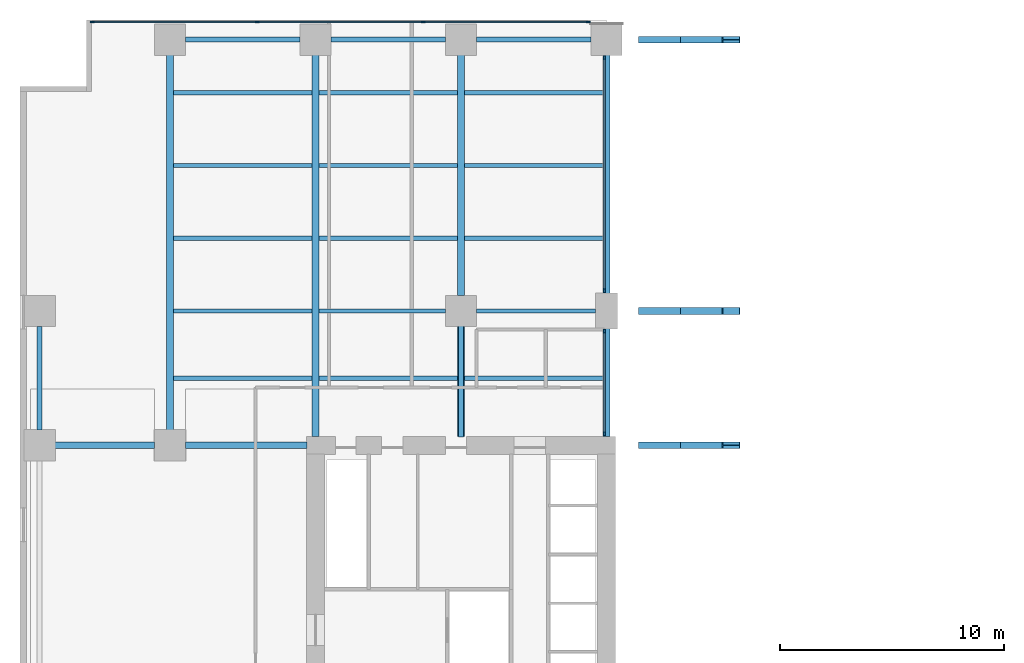
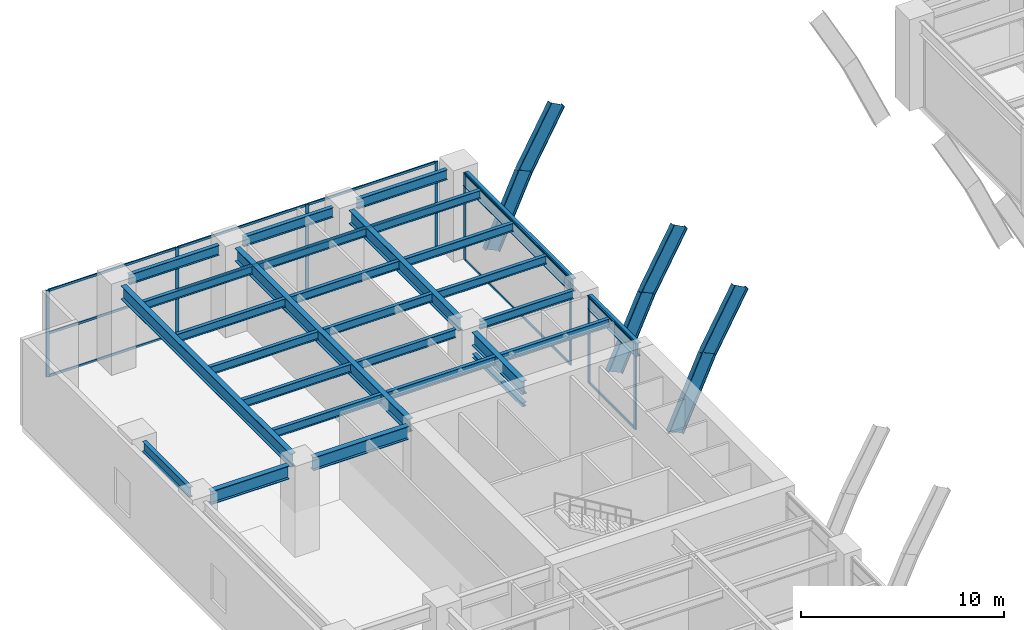
# One storey, part 5 of 17: 28 beams, 27 members, 3 elements without a shape of their own.
"""IFC4 building model written with IfcOpenShell, lengths in metres."""

from ifc_helpers import new_model, si_unit, direction, frame, origin, origin_2d, place, context, subcontext, project, spatial, rectangle, i_section, extrude, material, layer, layer_set, material_profile, profile_set, type_object, element, aggregate, save


model = new_model("IFC4")

# Units and contexts
model_context = context("Model", 3, precision=1e-05, world=origin(), true_north=direction((0.0, 1.0)))
body_context = subcontext(model_context, "Body", "Model", "MODEL_VIEW")
ifc_project = project(units=[si_unit("LENGTHUNIT", "METRE"), si_unit("AREAUNIT", "SQUARE_METRE"), si_unit("VOLUMEUNIT", "CUBIC_METRE"), si_unit("PLANEANGLEUNIT", "RADIAN"), si_unit("MASSUNIT", "GRAM", prefix="KILO")], contexts=[model_context])

# Site, building, storey
site_placement = place(None, origin())
site = spatial("IfcSite", under=ifc_project, at=site_placement, CompositionType="ELEMENT")
building_placement = place(site_placement, origin())
building = spatial("IfcBuilding", under=site, at=building_placement, Name="Putna Gate Headquarters", CompositionType="ELEMENT")
storey_placement = place(building_placement, frame((0.0, 0.0, 6.0)))
storey = spatial("IfcBuildingStorey", under=building, at=storey_placement, Name="L01", CompositionType="ELEMENT", Elevation=6.0)

# Beams
ifc_material_1 = material(Name="Steel S355J2", Category="steel")
ifc_material_profile_1 = material_profile(ifc_material_1, i_section(OverallWidth=0.300048828125, OverallDepth=0.800048828125, WebThickness=0.017578125, FlangeThickness=0.032958984375, at=origin_2d()), Name="Steel S355J2")
ifc_profile_set_1 = profile_set([ifc_material_profile_1], Name="Steel S355J2")
beam_type_1 = type_object("IfcBeamType", Name="BM-GIRD-P-HEB800", PredefinedType="USERDEFINED", material=ifc_profile_set_1)
beam_1_placement = place(storey_placement, frame((1.367919921875, 33.0, 4.820068359375), z_axis=(1.0, 0.0, 0.0), x_axis=(0.0, 1.0, 0.0)))
element("IfcBeam", 1, at=beam_1_placement, inside=storey, type_object=beam_type_1, Name="L01 West Wing Girder Y33-1", ObjectType="GIRDER", PredefinedType="USERDEFINED", context=body_context, shape_type="SweptSolid", body=[
    extrude(i_section(OverallWidth=0.300048828125, OverallDepth=0.800048828125, WebThickness=0.017578125, FlangeThickness=0.032958984375, at=origin_2d()), origin(), (0.0, 0.0, 1.0), 4.444091796875),
])
beam_2_placement = place(storey_placement, frame((7.18798828125, 33.0, 4.820068359375), z_axis=(1.0, 0.0, 0.0), x_axis=(0.0, 1.0, 0.0)))
element("IfcBeam", 2, at=beam_2_placement, inside=storey, type_object=beam_type_1, Name="L01 West Wing Girder Y33-2", ObjectType="GIRDER", PredefinedType="USERDEFINED", context=body_context, shape_type="SweptSolid", body=[
    extrude(i_section(OverallWidth=0.300048828125, OverallDepth=0.800048828125, WebThickness=0.017578125, FlangeThickness=0.032958984375, at=origin_2d()), origin(), (0.0, 0.0, 1.0), 5.427001953125),
])
beam_3_placement = place(storey_placement, frame((6.5, 33.68798828125, 4.820068359375), z_axis=(0.0, 1.0, 0.0), x_axis=(-1.0, 0.0, 0.0)))
element("IfcBeam", 3, at=beam_3_placement, inside=storey, type_object=beam_type_1, Name="L01 North Primary Girder X6", ObjectType="GIRDER", PredefinedType="USERDEFINED", context=body_context, shape_type="SweptSolid", body=[
    extrude(i_section(OverallWidth=0.300048828125, OverallDepth=0.800048828125, WebThickness=0.017578125, FlangeThickness=0.032958984375, at=origin_2d()), origin(), (0.0, 0.0, 1.0), 16.743896484375),
])
beam_4_placement = place(storey_placement, frame((13.0, 33.385009765625, 4.820068359375), z_axis=(0.0, 1.0, 0.0), x_axis=(-1.0, 0.0, 0.0)))
element("IfcBeam", 4, at=beam_4_placement, inside=storey, type_object=beam_type_1, Name="L01 North Primary Girder X13", ObjectType="GIRDER", PredefinedType="USERDEFINED", context=body_context, shape_type="SweptSolid", body=[
    extrude(i_section(OverallWidth=0.300048828125, OverallDepth=0.800048828125, WebThickness=0.017578125, FlangeThickness=0.032958984375, at=origin_2d()), origin(), (0.0, 0.0, 1.0), 17.046875),
])
beam_5_placement = place(storey_placement, frame((19.5, 33.385009765625, 4.820068359375), z_axis=(0.0, 1.0, 0.0), x_axis=(-1.0, 0.0, 0.0)))
element("IfcBeam", 5, at=beam_5_placement, inside=storey, type_object=beam_type_1, Name="L01 North Primary Girder X19-1", ObjectType="GIRDER", PredefinedType="USERDEFINED", context=body_context, shape_type="SweptSolid", body=[
    extrude(i_section(OverallWidth=0.300048828125, OverallDepth=0.800048828125, WebThickness=0.017578125, FlangeThickness=0.032958984375, at=origin_2d()), origin(), (0.0, 0.0, 1.0), 4.927001953125),
])
beam_6_placement = place(storey_placement, frame((19.5, 39.68798828125, 4.820068359375), z_axis=(0.0, 1.0, 0.0), x_axis=(-1.0, 0.0, 0.0)))
element("IfcBeam", 6, at=beam_6_placement, inside=storey, type_object=beam_type_1, Name="L01 North Primary Girder X19-2", ObjectType="GIRDER", PredefinedType="USERDEFINED", context=body_context, shape_type="SweptSolid", body=[
    extrude(i_section(OverallWidth=0.300048828125, OverallDepth=0.800048828125, WebThickness=0.017578125, FlangeThickness=0.032958984375, at=origin_2d()), origin(), (0.0, 0.0, 1.0), 10.743896484375),
])
beam_7_placement = place(storey_placement, frame((26.0, 33.385009765625, 4.820068359375), z_axis=(0.0, 1.0, 0.0), x_axis=(-1.0, 0.0, 0.0)))
element("IfcBeam", 7, at=beam_7_placement, inside=storey, type_object=beam_type_1, Name="L01 North Primary Girder X26-1", ObjectType="GIRDER", PredefinedType="USERDEFINED", context=body_context, shape_type="SweptSolid", body=[
    extrude(i_section(OverallWidth=0.300048828125, OverallDepth=0.800048828125, WebThickness=0.017578125, FlangeThickness=0.032958984375, at=origin_2d()), origin(), (0.0, 0.0, 1.0), 4.826904296875),
])
beam_8_placement = place(storey_placement, frame((26.0, 39.7880859375, 4.820068359375), z_axis=(0.0, 1.0, 0.0), x_axis=(-1.0, 0.0, 0.0)))
element("IfcBeam", 8, at=beam_8_placement, inside=storey, type_object=beam_type_1, Name="L01 North Primary Girder X26-2", ObjectType="GIRDER", PredefinedType="USERDEFINED", context=body_context, shape_type="SweptSolid", body=[
    extrude(i_section(OverallWidth=0.300048828125, OverallDepth=0.800048828125, WebThickness=0.017578125, FlangeThickness=0.032958984375, at=origin_2d()), origin(), (0.0, 0.0, 1.0), 10.643798828125),
])
ifc_material_profile_2 = material_profile(ifc_material_1, i_section(OverallWidth=0.239990234375, OverallDepth=0.239990234375, WebThickness=0.010009765625, FlangeThickness=0.01708984375, at=origin_2d()), Name="Steel S355J2")
ifc_profile_set_2 = profile_set([ifc_material_profile_2], Name="Steel S355J2")
beam_type_2 = type_object("IfcBeamType", Name="BM-LINTEL-HEB240", PredefinedType="LINTEL", material=ifc_profile_set_2)
beam_9_placement = place(storey_placement, frame((19.5, 33.3798828125, 3.800048828125), z_axis=(0.0, 1.0, 0.0), x_axis=(-1.0, 0.0, 0.0)))
element("IfcBeam", 9, at=beam_9_placement, inside=storey, type_object=beam_type_2, Name="L01 Core Spine Portal Header Lintel W", PredefinedType="LINTEL", context=body_context, shape_type="SweptSolid", body=[
    extrude(i_section(OverallWidth=0.239990234375, OverallDepth=0.239990234375, WebThickness=0.010009765625, FlangeThickness=0.01708984375, at=origin_2d()), origin(), (0.0, 0.0, 1.0), 4.940185546875),
])
ifc_material_profile_3 = material_profile(ifc_material_1, i_section(OverallWidth=0.199951171875, OverallDepth=0.5, WebThickness=0.01025390625, FlangeThickness=0.01611328125, at=origin_2d()), Name="Steel S355J2")
ifc_profile_set_3 = profile_set([ifc_material_profile_3], Name="Steel S355J2")
beam_type_3 = type_object("IfcBeamType", Name="BM-SEC-P-IPE500", PredefinedType="BEAM", material=ifc_profile_set_3)
for number, where, z_axis, x_axis, name in (
    (10, (6.654052734375, 36.0, 4.969970703125), (1.0, 0.0, 0.0), (0.0, 1.0, 0.0), "L01 North Secondary Beam 1"),
    (11, (6.654052734375, 39.0, 4.969970703125), (1.0, 0.0, 0.0), (0.0, 1.0, 0.0), "L01 North Secondary Beam 1"),
    (12, (6.654052734375, 42.25, 4.969970703125), (1.0, 0.0, 0.0), (0.0, 1.0, 0.0), "L01 North Secondary Beam 1"),
    (13, (6.654052734375, 45.5, 4.969970703125), (1.0, 0.0, 0.0), (0.0, 1.0, 0.0), "L01 North Secondary Beam 1"),
    (14, (6.654052734375, 48.75, 4.969970703125), (1.0, 0.0, 0.0), (0.0, 1.0, 0.0), "L01 North Secondary Beam 1"),
    (15, (13.154052734375, 36.0, 4.969970703125), (1.0, 0.0, 0.0), (0.0, 1.0, 0.0), "L01 North Secondary Beam 2"),
):
    element("IfcBeam", number, at=place(storey_placement, frame(where, z_axis=z_axis, x_axis=x_axis)), inside=storey, type_object=beam_type_3, Name=name, PredefinedType="BEAM", context=body_context, shape_type="SweptSolid", body=[
        extrude(i_section(OverallWidth=0.199951171875, OverallDepth=0.5, WebThickness=0.01025390625, FlangeThickness=0.01611328125, at=origin_2d()), origin(), (0.0, 0.0, 1.0), 6.19189453125),
    ])
beam_10_placement = place(storey_placement, frame((13.154052734375, 39.0, 4.969970703125), z_axis=(1.0, 0.0, 0.0), x_axis=(0.0, 1.0, 0.0)))
element("IfcBeam", 16, at=beam_10_placement, inside=storey, type_object=beam_type_3, Name="L01 North Secondary Beam 2", PredefinedType="BEAM", context=body_context, shape_type="SweptSolid", body=[
    extrude(i_section(OverallWidth=0.199951171875, OverallDepth=0.5, WebThickness=0.01025390625, FlangeThickness=0.01611328125, at=origin_2d()), origin(), (0.0, 0.0, 1.0), 5.657958984375),
])
for number, where, z_axis, x_axis, name in (
    (17, (13.154052734375, 42.25, 4.969970703125), (1.0, 0.0, 0.0), (0.0, 1.0, 0.0), "L01 North Secondary Beam 2"),
    (18, (13.154052734375, 45.5, 4.969970703125), (1.0, 0.0, 0.0), (0.0, 1.0, 0.0), "L01 North Secondary Beam 2"),
    (19, (13.154052734375, 48.75, 4.969970703125), (1.0, 0.0, 0.0), (0.0, 1.0, 0.0), "L01 North Secondary Beam 2"),
    (20, (19.654052734375, 36.0, 4.969970703125), (1.0, 0.0, 0.0), (0.0, 1.0, 0.0), "L01 North Secondary Beam 3"),
):
    element("IfcBeam", number, at=place(storey_placement, frame(where, z_axis=z_axis, x_axis=x_axis)), inside=storey, type_object=beam_type_3, Name=name, PredefinedType="BEAM", context=body_context, shape_type="SweptSolid", body=[
        extrude(i_section(OverallWidth=0.199951171875, OverallDepth=0.5, WebThickness=0.01025390625, FlangeThickness=0.01611328125, at=origin_2d()), origin(), (0.0, 0.0, 1.0), 6.19189453125),
    ])
beam_11_placement = place(storey_placement, frame((20.18798828125, 39.0, 4.969970703125), z_axis=(1.0, 0.0, 0.0), x_axis=(0.0, 1.0, 0.0)))
element("IfcBeam", 21, at=beam_11_placement, inside=storey, type_object=beam_type_3, Name="L01 North Secondary Beam 3", PredefinedType="BEAM", context=body_context, shape_type="SweptSolid", body=[
    extrude(i_section(OverallWidth=0.199951171875, OverallDepth=0.5, WebThickness=0.01025390625, FlangeThickness=0.01611328125, at=origin_2d()), origin(), (0.0, 0.0, 1.0), 5.323974609375),
])
for number, where, z_axis, x_axis, name in (
    (22, (19.654052734375, 42.25, 4.969970703125), (1.0, 0.0, 0.0), (0.0, 1.0, 0.0), "L01 North Secondary Beam 3"),
    (23, (19.654052734375, 45.5, 4.969970703125), (1.0, 0.0, 0.0), (0.0, 1.0, 0.0), "L01 North Secondary Beam 3"),
    (24, (19.654052734375, 48.75, 4.969970703125), (1.0, 0.0, 0.0), (0.0, 1.0, 0.0), "L01 North Secondary Beam 3"),
):
    element("IfcBeam", number, at=place(storey_placement, frame(where, z_axis=z_axis, x_axis=x_axis)), inside=storey, type_object=beam_type_3, Name=name, PredefinedType="BEAM", context=body_context, shape_type="SweptSolid", body=[
        extrude(i_section(OverallWidth=0.199951171875, OverallDepth=0.5, WebThickness=0.01025390625, FlangeThickness=0.01611328125, at=origin_2d()), origin(), (0.0, 0.0, 1.0), 6.19189453125),
    ])
ifc_material_profile_4 = material_profile(ifc_material_1, i_section(OverallWidth=0.219970703125, OverallDepth=0.60009765625, WebThickness=0.011962890625, FlangeThickness=0.01904296875, at=origin_2d()), Name="Steel S355J2")
ifc_profile_set_4 = profile_set([ifc_material_profile_4], Name="Steel S355J2")
beam_type_4 = type_object("IfcBeamType", Name="BM-SPAN-P-IPE600", PredefinedType="SPANDREL", material=ifc_profile_set_4)
for number, where, z_axis, x_axis, name in (
    (25, (7.18798828125, 51.1201171875, 4.919921875), (1.0, 0.0, 0.0), (0.0, 1.0, 0.0), "L01 N Perimeter Spandrel 1"),
    (26, (13.68798828125, 51.1201171875, 4.919921875), (1.0, 0.0, 0.0), (0.0, 1.0, 0.0), "L01 N Perimeter Spandrel 2"),
    (27, (20.18798828125, 51.1201171875, 4.919921875), (1.0, 0.0, 0.0), (0.0, 1.0, 0.0), "L01 N Perimeter Spandrel 3"),
):
    element("IfcBeam", number, at=place(storey_placement, frame(where, z_axis=z_axis, x_axis=x_axis)), inside=storey, type_object=beam_type_4, Name=name, PredefinedType="SPANDREL", context=body_context, shape_type="SweptSolid", body=[
        extrude(i_section(OverallWidth=0.219970703125, OverallDepth=0.60009765625, WebThickness=0.011962890625, FlangeThickness=0.01904296875, at=origin_2d()), origin(), (0.0, 0.0, 1.0), 5.1240234375),
    ])
beam_12_placement = place(storey_placement, frame((0.679931640625, 33.68798828125, 4.919921875), z_axis=(0.0, 1.0, 0.0), x_axis=(-1.0, 0.0, 0.0)))
element("IfcBeam", 28, at=beam_12_placement, inside=storey, type_object=beam_type_4, Name="L01 W End Spandrel 3", PredefinedType="SPANDREL", context=body_context, shape_type="SweptSolid", body=[
    extrude(i_section(OverallWidth=0.219970703125, OverallDepth=0.60009765625, WebThickness=0.011962890625, FlangeThickness=0.01904296875, at=origin_2d()), origin(), (0.0, 0.0, 1.0), 4.6240234375),
])

# Members
ifc_material_2 = material(Name="Steel S460M", Category="steel")
ifc_material_profile_5 = material_profile(ifc_material_2, i_section(OverallWidth=0.302001953125, OverallDepth=0.909912109375, WebThickness=0.02099609375, FlangeThickness=0.0400390625, at=origin_2d()), Name="Steel S460M")
ifc_profile_set_5 = profile_set([ifc_material_profile_5], Name="Steel S460M")
member_type_1 = type_object("IfcMemberType", Name="MEM-ARCH-CHORD-HEM900", PredefinedType="STRUT", material=ifc_profile_set_5)
member_1_placement = place(storey_placement, frame((27.857177734375, 51.1201171875, -0.568359375), z_axis=(0.41007102507, 0.0, 0.912053591845), x_axis=(0.0, 1.0, 0.0)))
element("IfcMember", 29, at=member_1_placement, inside=storey, type_object=member_type_1, Name="Giant Parabolic Arch Chord N-2", PredefinedType="STRUT", context=body_context, shape_type="SweptSolid", body=[
    extrude(i_section(OverallWidth=0.302001953125, OverallDepth=0.909912109375, WebThickness=0.02099609375, FlangeThickness=0.0400390625, at=origin_2d()), origin(), (0.0, 0.0, 1.0), 4.52880859375),
])
member_2_placement = place(storey_placement, frame((29.71435546875, 51.1201171875, 3.562255859375), z_axis=(0.48154685796, 0.0, 0.876420346403), x_axis=(0.0, 1.0, 0.0)))
element("IfcMember", 30, at=member_2_placement, inside=storey, type_object=member_type_1, Name="Giant Parabolic Arch Chord N-3", PredefinedType="STRUT", context=body_context, shape_type="SweptSolid", body=[
    extrude(i_section(OverallWidth=0.302001953125, OverallDepth=0.909912109375, WebThickness=0.02099609375, FlangeThickness=0.0400390625, at=origin_2d()), origin(), (0.0, 0.0, 1.0), 3.856201171875),
])
ifc_material_profile_6 = material_profile(ifc_material_2, i_section(OverallWidth=0.302001953125, OverallDepth=0.909912109375, WebThickness=0.02099609375, FlangeThickness=0.0400390625, at=origin_2d()), Name="Steel S460M")
ifc_profile_set_6 = profile_set([ifc_material_profile_6], Name="Steel S460M")
member_type_2 = type_object("IfcMemberType", Name="MEM-ARCH-CHORD-INT-HEM900", PredefinedType="STRUT", material=ifc_profile_set_6)
member_3_placement = place(storey_placement, frame((27.857177734375, 33.0, -0.568359375), z_axis=(0.41007102507, 0.0, 0.912053591845), x_axis=(0.0, 1.0, 0.0)))
element("IfcMember", 31, at=member_3_placement, inside=storey, type_object=member_type_2, Name="Giant Parabolic Arch Chord AN-2", PredefinedType="STRUT", context=body_context, shape_type="SweptSolid", body=[
    extrude(i_section(OverallWidth=0.302001953125, OverallDepth=0.909912109375, WebThickness=0.02099609375, FlangeThickness=0.0400390625, at=origin_2d()), origin(), (0.0, 0.0, 1.0), 4.52880859375),
])
member_4_placement = place(storey_placement, frame((29.71435546875, 33.0, 3.562255859375), z_axis=(0.48154685796, 0.0, 0.876420346403), x_axis=(0.0, 1.0, 0.0)))
element("IfcMember", 32, at=member_4_placement, inside=storey, type_object=member_type_2, Name="Giant Parabolic Arch Chord AN-3", PredefinedType="STRUT", context=body_context, shape_type="SweptSolid", body=[
    extrude(i_section(OverallWidth=0.302001953125, OverallDepth=0.909912109375, WebThickness=0.02099609375, FlangeThickness=0.0400390625, at=origin_2d()), origin(), (0.0, 0.0, 1.0), 3.856201171875),
])
member_5_placement = place(storey_placement, frame((27.857177734375, 39.0, -0.568359375), z_axis=(0.41007102507, 0.0, 0.912053591845), x_axis=(0.0, 1.0, 0.0)))
element("IfcMember", 33, at=member_5_placement, inside=storey, type_object=member_type_2, Name="Giant Parabolic Arch Chord CN-2", PredefinedType="STRUT", context=body_context, shape_type="SweptSolid", body=[
    extrude(i_section(OverallWidth=0.302001953125, OverallDepth=0.909912109375, WebThickness=0.02099609375, FlangeThickness=0.0400390625, at=origin_2d()), origin(), (0.0, 0.0, 1.0), 4.52880859375),
])
member_6_placement = place(storey_placement, frame((29.71435546875, 39.0, 3.562255859375), z_axis=(0.48154685796, 0.0, 0.876420346403), x_axis=(0.0, 1.0, 0.0)))
element("IfcMember", 34, at=member_6_placement, inside=storey, type_object=member_type_2, Name="Giant Parabolic Arch Chord CN-3", PredefinedType="STRUT", context=body_context, shape_type="SweptSolid", body=[
    extrude(i_section(OverallWidth=0.302001953125, OverallDepth=0.909912109375, WebThickness=0.02099609375, FlangeThickness=0.0400390625, at=origin_2d()), origin(), (0.0, 0.0, 1.0), 3.856201171875),
])

# Curtain wall, members
ifc_material_3 = material(Name="Anodised bronze aluminium curtain wall", Category="aluminium")
ifc_layer_1 = layer(ifc_material_3, 0.179931640625)
ifc_layer_set_1 = layer_set([ifc_layer_1], Name="Anodised bronze aluminium curtain wall")
curtain_wall_type_1 = type_object("IfcCurtainWallType", Name="CW-SYS-ATR", PredefinedType="USERDEFINED", material=ifc_layer_set_1)
curtain_wall_1_placement = place(storey_placement, origin())
curtain_wall_1 = element("IfcCurtainWall", 35, at=curtain_wall_1_placement, inside=storey, type_object=curtain_wall_type_1, Name="L01 Arch Flank Glazing W-N1", ObjectType="ATRIUM GLAZING", PredefinedType="USERDEFINED")
ifc_material_4 = material(Name="Anodised bronze aluminium EN AW-6060", Category="aluminium")
ifc_material_profile_7 = material_profile(ifc_material_4, rectangle(XDim=0.070068359375, YDim=0.179931640625, at=origin_2d()), Name="Anodised bronze aluminium EN AW-6060")
ifc_profile_set_7 = profile_set([ifc_material_profile_7], Name="Anodised bronze aluminium EN AW-6060")
member_type_3 = type_object("IfcMemberType", Name="MULL-CWM-AT", PredefinedType="MULLION", material=ifc_profile_set_7)
member_7_placement = place(storey_placement, frame((25.89990234375, 33.514892578125, 0.0), z_axis=(0.0, 0.0, 1.0), x_axis=(-1.0, 0.0, 0.0)))
member_7 = element("IfcMember", 36, at=member_7_placement, type_object=member_type_3, Name="CWS-AT mullion 1", PredefinedType="MULLION", context=body_context, shape_type="SweptSolid", body=[
    extrude(rectangle(XDim=0.070068359375, YDim=0.179931640625, at=origin_2d()), origin(), (0.0, 0.0, 1.0), 5.219970703125),
])
member_8_placement = place(storey_placement, frame((25.89990234375, 38.0849609375, 0.0), z_axis=(0.0, 0.0, 1.0), x_axis=(-1.0, 0.0, 0.0)))
member_8 = element("IfcMember", 37, at=member_8_placement, type_object=member_type_3, Name="CWS-AT mullion 2", PredefinedType="MULLION", context=body_context, shape_type="SweptSolid", body=[
    extrude(rectangle(XDim=0.070068359375, YDim=0.179931640625, at=origin_2d()), origin(), (0.0, 0.0, 1.0), 5.219970703125),
])

curtain_wall_2_placement = place(storey_placement, origin())
curtain_wall_2 = element("IfcCurtainWall", 38, at=curtain_wall_2_placement, inside=storey, type_object=curtain_wall_type_1, Name="L01 Arch Flank Glazing W-N2", ObjectType="ATRIUM GLAZING", PredefinedType="USERDEFINED")
member_9_placement = place(storey_placement, frame((25.89990234375, 39.9150390625, 0.0), z_axis=(0.0, 0.0, 1.0), x_axis=(-1.0, 0.0, 0.0)))
member_9 = element("IfcMember", 39, at=member_9_placement, type_object=member_type_3, Name="CWS-AT mullion 1", PredefinedType="MULLION", context=body_context, shape_type="SweptSolid", body=[
    extrude(rectangle(XDim=0.070068359375, YDim=0.179931640625, at=origin_2d()), origin(), (0.0, 0.0, 1.0), 5.219970703125),
])
member_10_placement = place(storey_placement, frame((25.89990234375, 50.31494140625, 0.0), z_axis=(0.0, 0.0, 1.0), x_axis=(-1.0, 0.0, 0.0)))
member_10 = element("IfcMember", 40, at=member_10_placement, type_object=member_type_3, Name="CWS-AT mullion 2", PredefinedType="MULLION", context=body_context, shape_type="SweptSolid", body=[
    extrude(rectangle(XDim=0.070068359375, YDim=0.179931640625, at=origin_2d()), origin(), (0.0, 0.0, 1.0), 5.219970703125),
])

ifc_layer_2 = layer(ifc_material_3, 0.179931640625)
ifc_layer_set_2 = layer_set([ifc_layer_2], Name="Anodised bronze aluminium curtain wall")
curtain_wall_type_2 = type_object("IfcCurtainWallType", Name="CW-SYS-POD", PredefinedType="USERDEFINED", material=ifc_layer_set_2)
curtain_wall_3_placement = place(storey_placement, origin())
curtain_wall_3 = element("IfcCurtainWall", 41, at=curtain_wall_3_placement, inside=storey, type_object=curtain_wall_type_2, Name="L01 North West Curtain Wall", ObjectType="STICK CURTAIN WALL", PredefinedType="USERDEFINED")
ifc_material_profile_8 = material_profile(ifc_material_4, rectangle(XDim=0.070068359375, YDim=0.179931640625, at=origin_2d()), Name="Anodised bronze aluminium EN AW-6060")
ifc_profile_set_8 = profile_set([ifc_material_profile_8], Name="Anodised bronze aluminium EN AW-6060")
member_type_4 = type_object("IfcMemberType", Name="MULL-CWM-P", PredefinedType="MULLION", material=ifc_profile_set_8)
member_11_placement = place(storey_placement, frame((3.034912109375, 51.919921875, 0.0), z_axis=(0.0, 0.0, 1.0), x_axis=(0.0, 1.0, 0.0)))
member_11 = element("IfcMember", 42, at=member_11_placement, type_object=member_type_4, Name="CWS-P mullion 1", PredefinedType="MULLION", context=body_context, shape_type="SweptSolid", body=[
    extrude(rectangle(XDim=0.070068359375, YDim=0.179931640625, at=origin_2d()), origin(), (0.0, 0.0, 1.0), 5.219970703125),
])
member_12_placement = place(storey_placement, frame((10.40673828125, 51.919921875, 0.0), z_axis=(0.0, 0.0, 1.0), x_axis=(0.0, 1.0, 0.0)))
member_12 = element("IfcMember", 43, at=member_12_placement, type_object=member_type_4, Name="CWS-P mullion 2", PredefinedType="MULLION", context=body_context, shape_type="SweptSolid", body=[
    extrude(rectangle(XDim=0.070068359375, YDim=0.179931640625, at=origin_2d()), origin(), (0.0, 0.0, 1.0), 5.219970703125),
])
member_13_placement = place(storey_placement, frame((17.813232421875, 51.919921875, 0.0), z_axis=(0.0, 0.0, 1.0), x_axis=(0.0, 1.0, 0.0)))
member_13 = element("IfcMember", 44, at=member_13_placement, type_object=member_type_4, Name="CWS-P mullion 3", PredefinedType="MULLION", context=body_context, shape_type="SweptSolid", body=[
    extrude(rectangle(XDim=0.070068359375, YDim=0.179931640625, at=origin_2d()), origin(), (0.0, 0.0, 1.0), 5.219970703125),
])
member_14_placement = place(storey_placement, frame((25.18505859375, 51.919921875, 0.0), z_axis=(0.0, 0.0, 1.0), x_axis=(0.0, 1.0, 0.0)))
member_14 = element("IfcMember", 45, at=member_14_placement, type_object=member_type_4, Name="CWS-P mullion 4", PredefinedType="MULLION", context=body_context, shape_type="SweptSolid", body=[
    extrude(rectangle(XDim=0.070068359375, YDim=0.179931640625, at=origin_2d()), origin(), (0.0, 0.0, 1.0), 5.219970703125),
])

# Member
ifc_material_profile_9 = material_profile(ifc_material_4, rectangle(XDim=0.070068359375, YDim=0.139892578125, at=origin_2d()), Name="Anodised bronze aluminium EN AW-6060")
ifc_profile_set_9 = profile_set([ifc_material_profile_9], Name="Anodised bronze aluminium EN AW-6060")
member_type_5 = type_object("IfcMemberType", Name="TRAN-CWT-AT", PredefinedType="USERDEFINED", material=ifc_profile_set_9)
member_15_placement = place(storey_placement, frame((25.89990234375, 33.550048828125, 0.034912109375), z_axis=(0.0, 1.0, 0.0), x_axis=(-1.0, 0.0, 0.0)))
member_15 = element("IfcMember", 46, at=member_15_placement, type_object=member_type_5, Name="CWS-AT transom 1.1", ObjectType="TRANSOM", PredefinedType="USERDEFINED", context=body_context, shape_type="SweptSolid", body=[
    extrude(rectangle(XDim=0.070068359375, YDim=0.139892578125, at=origin_2d()), origin(), (0.0, 0.0, 1.0), 4.5),
])

member_16_placement = place(storey_placement, frame((25.89990234375, 33.550048828125, 5.18505859375), z_axis=(0.0, 1.0, 0.0), x_axis=(-1.0, 0.0, 0.0)))
member_16 = element("IfcMember", 47, at=member_16_placement, type_object=member_type_5, Name="CWS-AT transom 1.2", ObjectType="TRANSOM", PredefinedType="USERDEFINED", context=body_context, shape_type="SweptSolid", body=[
    extrude(rectangle(XDim=0.070068359375, YDim=0.139892578125, at=origin_2d()), origin(), (0.0, 0.0, 1.0), 4.5),
])

aggregate(curtain_wall_1, [member_7, member_8, member_15, member_16])

member_17_placement = place(storey_placement, frame((25.89990234375, 39.949951171875, 0.034912109375), z_axis=(0.0, 1.0, 0.0), x_axis=(-1.0, 0.0, 0.0)))
member_17 = element("IfcMember", 48, at=member_17_placement, type_object=member_type_5, Name="CWS-AT transom 1.1", ObjectType="TRANSOM", PredefinedType="USERDEFINED", context=body_context, shape_type="SweptSolid", body=[
    extrude(rectangle(XDim=0.070068359375, YDim=0.139892578125, at=origin_2d()), origin(), (0.0, 0.0, 1.0), 10.330078125),
])

member_18_placement = place(storey_placement, frame((25.89990234375, 39.949951171875, 5.18505859375), z_axis=(0.0, 1.0, 0.0), x_axis=(-1.0, 0.0, 0.0)))
member_18 = element("IfcMember", 49, at=member_18_placement, type_object=member_type_5, Name="CWS-AT transom 1.2", ObjectType="TRANSOM", PredefinedType="USERDEFINED", context=body_context, shape_type="SweptSolid", body=[
    extrude(rectangle(XDim=0.070068359375, YDim=0.139892578125, at=origin_2d()), origin(), (0.0, 0.0, 1.0), 10.330078125),
])

aggregate(curtain_wall_2, [member_9, member_10, member_17, member_18])

ifc_material_profile_10 = material_profile(ifc_material_4, rectangle(XDim=0.070068359375, YDim=0.139892578125, at=origin_2d()), Name="Anodised bronze aluminium EN AW-6060")
ifc_profile_set_10 = profile_set([ifc_material_profile_10], Name="Anodised bronze aluminium EN AW-6060")
member_type_6 = type_object("IfcMemberType", Name="TRAN-CWT-P", PredefinedType="USERDEFINED", material=ifc_profile_set_10)
member_19_placement = place(storey_placement, frame((3.070068359375, 51.919921875, 0.034912109375), z_axis=(1.0, 0.0, 0.0), x_axis=(0.0, 1.0, 0.0)))
member_19 = element("IfcMember", 50, at=member_19_placement, type_object=member_type_6, Name="CWS-P transom 1.1", ObjectType="TRANSOM", PredefinedType="USERDEFINED", context=body_context, shape_type="SweptSolid", body=[
    extrude(rectangle(XDim=0.070068359375, YDim=0.139892578125, at=origin_2d()), origin(), (0.0, 0.0, 1.0), 7.301513671875),
])

member_20_placement = place(storey_placement, frame((3.070068359375, 51.919921875, 2.610107421875), z_axis=(1.0, 0.0, 0.0), x_axis=(0.0, 1.0, 0.0)))
member_20 = element("IfcMember", 51, at=member_20_placement, type_object=member_type_6, Name="CWS-P transom 1.2", ObjectType="TRANSOM", PredefinedType="USERDEFINED", context=body_context, shape_type="SweptSolid", body=[
    extrude(rectangle(XDim=0.070068359375, YDim=0.139892578125, at=origin_2d()), origin(), (0.0, 0.0, 1.0), 7.301513671875),
])

member_21_placement = place(storey_placement, frame((3.070068359375, 51.919921875, 5.18505859375), z_axis=(1.0, 0.0, 0.0), x_axis=(0.0, 1.0, 0.0)))
member_21 = element("IfcMember", 52, at=member_21_placement, type_object=member_type_6, Name="CWS-P transom 1.3", ObjectType="TRANSOM", PredefinedType="USERDEFINED", context=body_context, shape_type="SweptSolid", body=[
    extrude(rectangle(XDim=0.070068359375, YDim=0.139892578125, at=origin_2d()), origin(), (0.0, 0.0, 1.0), 7.301513671875),
])

member_22_placement = place(storey_placement, frame((10.441650390625, 51.919921875, 0.034912109375), z_axis=(1.0, 0.0, 0.0), x_axis=(0.0, 1.0, 0.0)))
member_22 = element("IfcMember", 53, at=member_22_placement, type_object=member_type_6, Name="CWS-P transom 2.1", ObjectType="TRANSOM", PredefinedType="USERDEFINED", context=body_context, shape_type="SweptSolid", body=[
    extrude(rectangle(XDim=0.070068359375, YDim=0.139892578125, at=origin_2d()), origin(), (0.0, 0.0, 1.0), 7.336669921875),
])

member_23_placement = place(storey_placement, frame((10.441650390625, 51.919921875, 2.610107421875), z_axis=(1.0, 0.0, 0.0), x_axis=(0.0, 1.0, 0.0)))
member_23 = element("IfcMember", 54, at=member_23_placement, type_object=member_type_6, Name="CWS-P transom 2.2", ObjectType="TRANSOM", PredefinedType="USERDEFINED", context=body_context, shape_type="SweptSolid", body=[
    extrude(rectangle(XDim=0.070068359375, YDim=0.139892578125, at=origin_2d()), origin(), (0.0, 0.0, 1.0), 7.336669921875),
])

member_24_placement = place(storey_placement, frame((10.441650390625, 51.919921875, 5.18505859375), z_axis=(1.0, 0.0, 0.0), x_axis=(0.0, 1.0, 0.0)))
member_24 = element("IfcMember", 55, at=member_24_placement, type_object=member_type_6, Name="CWS-P transom 2.3", ObjectType="TRANSOM", PredefinedType="USERDEFINED", context=body_context, shape_type="SweptSolid", body=[
    extrude(rectangle(XDim=0.070068359375, YDim=0.139892578125, at=origin_2d()), origin(), (0.0, 0.0, 1.0), 7.336669921875),
])

member_25_placement = place(storey_placement, frame((17.848388671875, 51.919921875, 0.034912109375), z_axis=(1.0, 0.0, 0.0), x_axis=(0.0, 1.0, 0.0)))
member_25 = element("IfcMember", 56, at=member_25_placement, type_object=member_type_6, Name="CWS-P transom 3.1", ObjectType="TRANSOM", PredefinedType="USERDEFINED", context=body_context, shape_type="SweptSolid", body=[
    extrude(rectangle(XDim=0.070068359375, YDim=0.139892578125, at=origin_2d()), origin(), (0.0, 0.0, 1.0), 7.301513671875),
])

member_26_placement = place(storey_placement, frame((17.848388671875, 51.919921875, 2.610107421875), z_axis=(1.0, 0.0, 0.0), x_axis=(0.0, 1.0, 0.0)))
member_26 = element("IfcMember", 57, at=member_26_placement, type_object=member_type_6, Name="CWS-P transom 3.2", ObjectType="TRANSOM", PredefinedType="USERDEFINED", context=body_context, shape_type="SweptSolid", body=[
    extrude(rectangle(XDim=0.070068359375, YDim=0.139892578125, at=origin_2d()), origin(), (0.0, 0.0, 1.0), 7.301513671875),
])

member_27_placement = place(storey_placement, frame((17.848388671875, 51.919921875, 5.18505859375), z_axis=(1.0, 0.0, 0.0), x_axis=(0.0, 1.0, 0.0)))
member_27 = element("IfcMember", 58, at=member_27_placement, type_object=member_type_6, Name="CWS-P transom 3.3", ObjectType="TRANSOM", PredefinedType="USERDEFINED", context=body_context, shape_type="SweptSolid", body=[
    extrude(rectangle(XDim=0.070068359375, YDim=0.139892578125, at=origin_2d()), origin(), (0.0, 0.0, 1.0), 7.301513671875),
])

aggregate(curtain_wall_3, [member_11, member_12, member_13, member_14, member_19, member_20, member_21, member_22, member_23, member_24, member_25, member_26, member_27])

save(model, "model.ifc")
